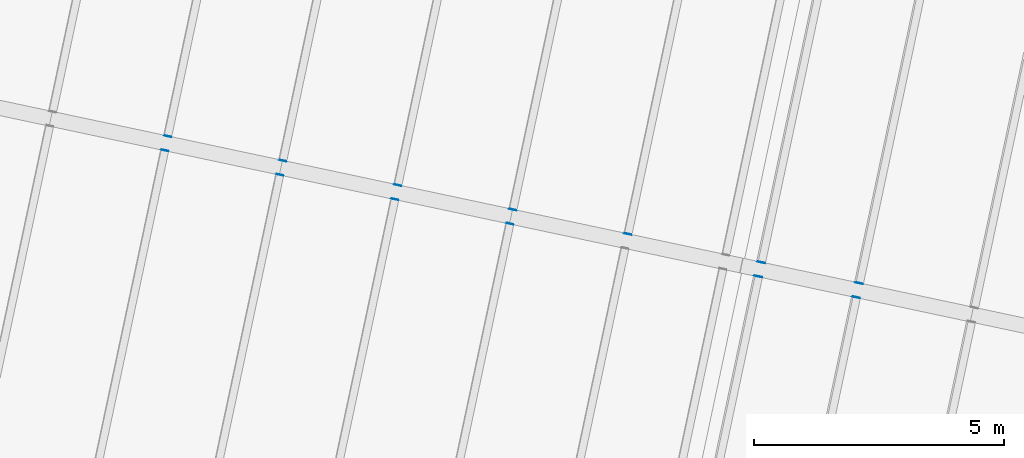
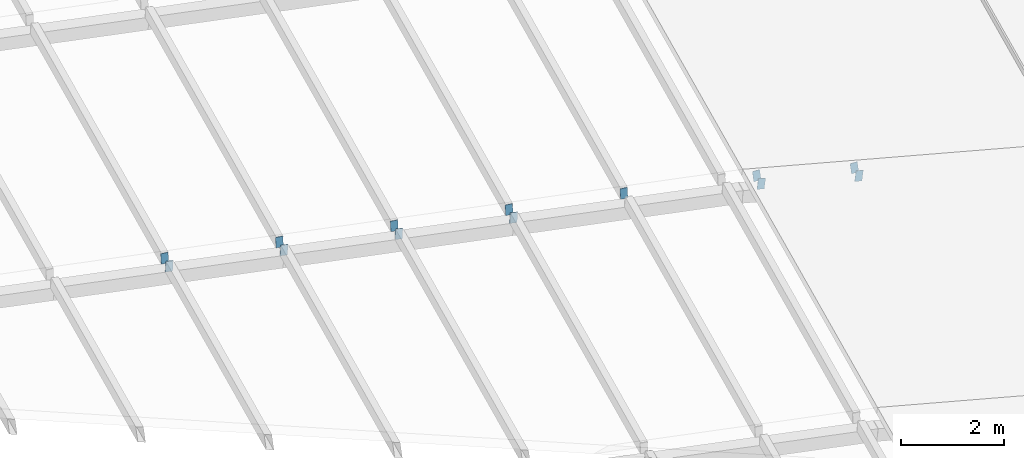
# One storey, part 161 of 196: 13 discrete accessories.
"""IFC4 building model written with IfcOpenShell, lengths in metres."""

from ifc_helpers import new_model, si_unit, direction, frame, origin, origin_2d, place, context, subcontext, project, spatial, rectangle, extrude, material, layer, layer_set, type_object, element, save


model = new_model("IFC4")

# Units and contexts
model_context = context("Model", 3, precision=1e-05, world=origin(), true_north=direction((0.0, 1.0)))
body_context = subcontext(model_context, "Body", "Model", "MODEL_VIEW")
ifc_project = project(units=[si_unit("LENGTHUNIT", "METRE"), si_unit("AREAUNIT", "SQUARE_METRE"), si_unit("VOLUMEUNIT", "CUBIC_METRE"), si_unit("PLANEANGLEUNIT", "RADIAN"), si_unit("MASSUNIT", "GRAM", prefix="KILO")], contexts=[model_context])

# Site, building, storey
site_placement = place(None, origin())
site = spatial("IfcSite", under=ifc_project, at=site_placement, CompositionType="ELEMENT")
building_placement = place(site_placement, origin())
building = spatial("IfcBuilding", under=site, at=building_placement, Name="Okhra Congress Centre", CompositionType="ELEMENT")
storey_placement = place(building_placement, frame((0.0, 0.0, 12.0)))
storey = spatial("IfcBuildingStorey", under=building, at=storey_placement, Name="L02", CompositionType="ELEMENT", Elevation=12.0)

# Discrete accessories
ifc_material = material(Name="Steel S355J2", Category="steel")
ifc_layer = layer(ifc_material, 0.011962890625)
ifc_layer_set = layer_set([ifc_layer], Name="Hollow section end cap 12 mm S355")
discrete_accessory_type = type_object("IfcDiscreteAccessoryType", Name="Hollow section end cap 12 mm S355", PredefinedType="BRACKET", material=ifc_layer_set)
for number, where, z_axis, x_axis, name in (
    (1, (230.51953125, 115.0927734375, 2.848876953125), (0.203954254112, 0.978980419738, 0.0), (-0.977638761096, 0.203674741895, 0.052335956243), "Hollow section end cap"),
    (2, (232.818115234375, 114.604248046875, 2.7255859375), (0.203954254112, 0.978980419738, 0.0), (-0.977638761096, 0.203674741895, 0.052335956243), "Hollow section end cap"),
    (3, (235.11669921875, 114.115478515625, 2.6025390625), (0.203954254112, 0.978980419738, 0.0), (-0.977638761096, 0.203674741895, 0.052335956243), "Hollow section end cap"),
    (4, (237.415283203125, 113.626953125, 2.479248046875), (0.223376156329, 0.974732318528, 0.0), (-0.973396481762, 0.22307002707, 0.052335956243), "Hollow section end cap"),
    (5, (242.373779296875, 112.572998046875, 2.188232421875), (0.203954254112, 0.978980419738, 0.0), (-0.971683248143, 0.20243401003, 0.121869343405), "Hollow section end cap"),
    (6, (244.330078125, 112.1572265625, 1.94287109375), (0.203954254112, 0.978980419738, 0.0), (-0.971683248143, 0.20243401003, 0.121869343405), "Hollow section end cap"),
    (7, (230.581787109375, 115.38623046875, 2.848876953125), (-0.203954254112, -0.978980419738, 0.0), (0.977638761096, -0.203674741895, 0.052335956243), "Hollow section end cap"),
    (8, (232.88037109375, 114.897705078125, 2.7255859375), (-0.203954254112, -0.978980419738, 0.0), (0.977638761096, -0.203674741895, 0.052335956243), "Hollow section end cap"),
    (9, (235.17919921875, 114.408935546875, 2.6025390625), (-0.223376156329, -0.974732318528, 0.0), (0.973396481762, -0.22307002707, 0.052335956243), "Hollow section end cap"),
    (10, (237.477783203125, 113.92041015625, 2.479248046875), (-0.203954254112, -0.978980419738, 0.0), (0.977638761096, -0.203674741895, 0.052335956243), "Hollow section end cap"),
    (11, (239.7763671875, 113.431884765625, 2.356201171875), (-0.203954254112, -0.978980419738, 0.0), (0.977638761096, -0.203674741895, 0.052335956243), "Hollow section end cap"),
    (12, (242.43603515625, 112.866455078125, 2.188232421875), (-0.203954254112, -0.978980419738, 0.0), (0.971683248143, -0.20243401003, 0.121869343405), "Hollow section end cap"),
    (13, (244.392333984375, 112.45068359375, 1.94287109375), (-0.203954254112, -0.978980419738, 0.0), (0.971683248143, -0.20243401003, 0.121869343405), "Hollow section end cap"),
):
    element("IfcDiscreteAccessory", number, at=place(storey_placement, frame(where, z_axis=z_axis, x_axis=x_axis)), inside=storey, type_object=discrete_accessory_type, Name=name, PredefinedType="BRACKET", context=body_context, shape_type="SweptSolid", body=[
        extrude(rectangle(XDim=0.14990234375, YDim=0.25, at=origin_2d()), origin(), (0.0, 0.0, 1.0), 0.011962890625),
    ])

save(model, "model.ifc")
